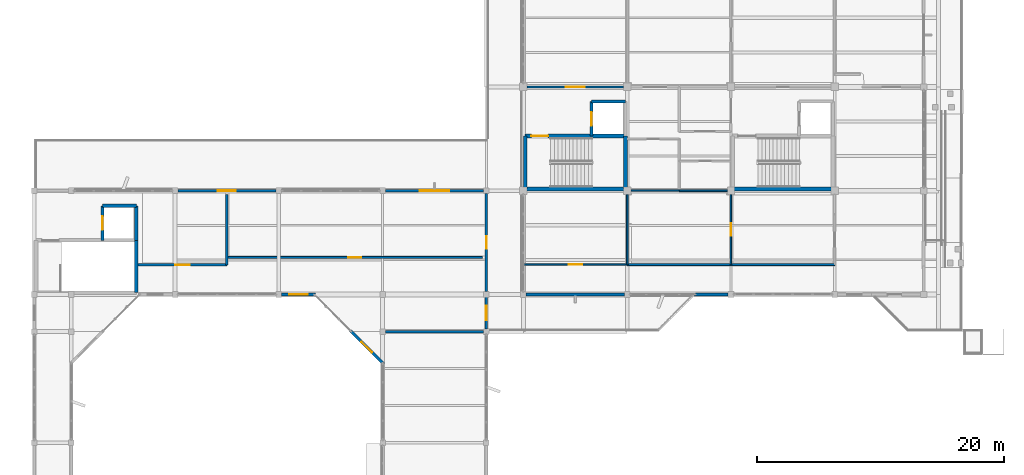
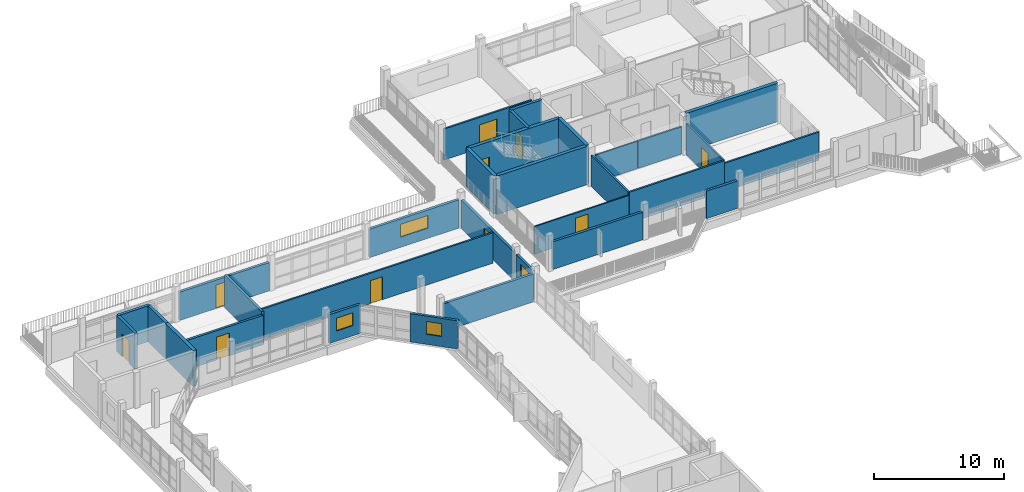
# One storey, part 21 of 33: 31 walls, 10 doors, 4 windows, 14 openings.
"""IFC4 building model written with IfcOpenShell, lengths in metres."""

from ifc_helpers import new_model, si_unit, direction, frame, frame_2d, origin, place, context, subcontext, project, spatial, rectangle, extrude, material, layer, layer_set, type_object, element, fill, save


model = new_model("IFC4")

# Units and contexts
model_context = context("Model", 3, precision=1e-05, world=origin(), true_north=direction((0.0, 1.0)))
body_context = subcontext(model_context, "Body", "Model", "MODEL_VIEW")
ifc_project = project(units=[si_unit("LENGTHUNIT", "METRE"), si_unit("AREAUNIT", "SQUARE_METRE"), si_unit("VOLUMEUNIT", "CUBIC_METRE"), si_unit("PLANEANGLEUNIT", "RADIAN"), si_unit("MASSUNIT", "GRAM", prefix="KILO")], contexts=[model_context])

# Site, building, storey
site_placement = place(None, origin())
site = spatial("IfcSite", under=ifc_project, at=site_placement, CompositionType="ELEMENT")
building_placement = place(site_placement, origin())
building = spatial("IfcBuilding", under=site, at=building_placement, Name="Vanh Quang Courtyard School", CompositionType="ELEMENT")
storey_placement = place(building_placement, frame((0.0, 0.0, 18.60009765625)))
storey = spatial("IfcBuildingStorey", under=building, at=storey_placement, Name="L05", CompositionType="ELEMENT", Elevation=18.60009765625)

# Wall
ifc_material_1 = material(Name="Concrete C30/37", Category="concrete")
ifc_layer_1 = layer(ifc_material_1, 0.199951171875)
ifc_layer_set_1 = layer_set([ifc_layer_1], Name="Concrete C30/37")
wall_type_1 = type_object("IfcWallType", Name="W-COMP-200", PredefinedType="PARTITIONING", material=ifc_layer_set_1)
wall_1_placement = place(storey_placement, frame((53.39990234375, 79.47998046875, 0.0), z_axis=(0.0, 0.0, 1.0), x_axis=(0.0, -1.0, 0.0)))
element("IfcWall", 1, at=wall_1_placement, inside=storey, type_object=wall_type_1, Name="Wall W-COMP1 (L05)", PredefinedType="PARTITIONING", context=body_context, shape_type="SweptSolid", body=[
    extrude(rectangle(XDim=5.679931640625, YDim=0.199951171875, at=frame_2d((2.83984375, 0.0))), origin(), (0.0, 0.0, 1.0), 3.0498046875),
])

# Wall, opening, door
wall_2_placement = place(storey_placement, frame((53.39990234375, 73.800048828125, 0.0), z_axis=(0.0, 0.0, 1.0), x_axis=(-1.0, 0.0, 0.0)))
wall_2 = element("IfcWall", 2, at=wall_2_placement, inside=storey, type_object=wall_type_1, Name="Wall W-COMP1 (L05)", PredefinedType="PARTITIONING", context=body_context, shape_type="SweptSolid", body=[
    extrude(rectangle(XDim=7.199951171875, YDim=0.199951171875, at=frame_2d((3.60009765625, 0.0))), origin(), (0.0, 0.0, 1.0), 2.75),
])
opening_1_placement = place(wall_2_placement, frame((3.02490234375, 0.0, 0.0)))
opening_1 = element("IfcOpeningElement", 3, at=opening_1_placement, cuts=wall_2, Name="Opening L05-D181", PredefinedType="OPENING", context=body_context, shape_type="SweptSolid", body=[
    extrude(rectangle(XDim=1.14990234375, YDim=2.14990234375, at=frame_2d((0.574951171875, 1.074951171875))), frame((0.0, 0.10986328125, 0.0), z_axis=(0.0, -1.0, 0.0), x_axis=(1.0, 0.0, 0.0)), (0.0, 0.0, 1.0), 0.219970703125),
])
ifc_material_2 = material(Name="Painted galvanised steel fire door", Category="steel")
door_type_1 = type_object("IfcDoorType", Name="IDR-LAB-1150x2150", OperationType="NOTDEFINED", PredefinedType="DOOR", material=ifc_material_2)
door_1_placement = place(opening_1_placement, origin())
door_1 = element("IfcDoor", 4, at=door_1_placement, inside=storey, type_object=door_type_1, Name="Door L05-D181 (L05)", OperationType="SINGLE_SWING_RIGHT", OverallHeight=2.14990234375, OverallWidth=1.14990234375, PredefinedType="DOOR", context=body_context, shape_type="SweptSolid", body=[
    extrude(rectangle(XDim=1.14990234375, YDim=2.14990234375, at=frame_2d((0.574951171875, 1.074951171875))), frame((0.0, 0.02490234375, 0.0), z_axis=(0.0, -1.0, 0.0), x_axis=(1.0, 0.0, 0.0)), (0.0, 0.0, 1.0), 0.050048828125),
])
fill(opening_1, door_1)

# Walls
wall_3_placement = place(storey_placement, frame((66.222900390625, 68.39990234375, 0.0), z_axis=(0.0, 0.0, 1.0), x_axis=(1.0, 0.0, 0.0)))
element("IfcWall", 5, at=wall_3_placement, inside=storey, type_object=wall_type_1, Name="Wall W-COMP1 (L05)", PredefinedType="PARTITIONING", context=body_context, shape_type="SweptSolid", body=[
    extrude(rectangle(XDim=7.947998046875, YDim=0.199951171875, at=frame_2d((3.97412109375, 0.0))), origin(), (0.0, 0.0, 1.0), 2.599853515625),
])
ifc_material_3 = material(Name="Concrete C35/45", Category="concrete")
ifc_layer_2 = layer(ifc_material_3, 0.300048828125)
ifc_layer_set_2 = layer_set([ifc_layer_2], Name="Concrete C35/45")
wall_type_2 = type_object("IfcWallType", Name="W-CORE-300", PredefinedType="SHEAR", material=ifc_layer_set_2)
wall_4_placement = place(storey_placement, frame((77.5400390625, 79.93994140625, 0.0), z_axis=(0.0, 0.0, 1.0), x_axis=(1.0, 0.0, 0.0)))
element("IfcWall", 6, at=wall_4_placement, inside=storey, type_object=wall_type_2, Name="Wall W-CORE1 (L05)", PredefinedType="SHEAR", context=body_context, shape_type="SweptSolid", body=[
    extrude(rectangle(XDim=8.119873046875, YDim=0.300048828125, at=frame_2d((4.06005859375, 0.0))), origin(), (0.0, 0.0, 1.0), 3.599853515625),
])
wall_5_placement = place(storey_placement, frame((85.659912109375, 79.93994140625, 0.0), z_axis=(0.0, 0.0, 1.0), x_axis=(0.0, 1.0, 0.0)))
element("IfcWall", 7, at=wall_5_placement, inside=storey, type_object=wall_type_2, Name="Wall W-CORE1 (L05)", PredefinedType="SHEAR", context=body_context, shape_type="SweptSolid", body=[
    extrude(rectangle(XDim=4.280029296875, YDim=0.300048828125, at=frame_2d((2.14013671875, 0.0))), origin(), (0.0, 0.0, 1.0), 3.599853515625),
])

# Wall, opening, door
wall_6_placement = place(storey_placement, frame((85.659912109375, 84.219970703125, 0.0), z_axis=(0.0, 0.0, 1.0), x_axis=(-1.0, 0.0, 0.0)))
wall_6 = element("IfcWall", 8, at=wall_6_placement, inside=storey, type_object=wall_type_2, Name="Wall W-CORE1 (L05)", PredefinedType="SHEAR", context=body_context, shape_type="SweptSolid", body=[
    extrude(rectangle(XDim=8.119873046875, YDim=0.300048828125, at=frame_2d((4.06005859375, 0.0))), origin(), (0.0, 0.0, 1.0), 3.599853515625),
])
opening_2_placement = place(wall_6_placement, frame((6.27001953125, 0.0, 0.0)))
opening_2 = element("IfcOpeningElement", 9, at=opening_2_placement, cuts=wall_6, Name="Opening L05-DS1", PredefinedType="OPENING", context=body_context, shape_type="SweptSolid", body=[
    extrude(rectangle(XDim=1.35009765625, YDim=2.14990234375, at=frame_2d((0.675048828125, 1.074951171875))), frame((0.0, 0.16015625, 0.0), z_axis=(0.0, -1.0, 0.0), x_axis=(1.0, 0.0, 0.0)), (0.0, 0.0, 1.0), 0.320068359375),
])
door_type_2 = type_object("IfcDoorType", Name="IDR-ST-1350x2150", OperationType="NOTDEFINED", PredefinedType="DOOR", material=ifc_material_2)
door_2_placement = place(opening_2_placement, frame((1.35009765625, 0.0, 0.0), z_axis=(0.0, 0.0, 1.0), x_axis=(-1.0, 0.0, 0.0)))
door_2 = element("IfcDoor", 10, at=door_2_placement, inside=storey, type_object=door_type_2, Name="Door L05-DS1 (L05)", OperationType="SINGLE_SWING_LEFT", OverallHeight=2.14990234375, OverallWidth=1.35009765625, PredefinedType="DOOR", context=body_context, shape_type="SweptSolid", body=[
    extrude(rectangle(XDim=1.35009765625, YDim=2.14990234375, at=frame_2d((0.675048828125, 1.074951171875))), frame((0.0, 0.02490234375, 0.0), z_axis=(0.0, -1.0, 0.0), x_axis=(1.0, 0.0, 0.0)), (0.0, 0.0, 1.0), 0.050048828125),
])
fill(opening_2, door_2)

# Walls
wall_7_placement = place(storey_placement, frame((77.5400390625, 84.219970703125, 0.0), z_axis=(0.0, 0.0, 1.0), x_axis=(0.0, -1.0, 0.0)))
element("IfcWall", 11, at=wall_7_placement, inside=storey, type_object=wall_type_2, Name="Wall W-CORE1 (L05)", PredefinedType="SHEAR", context=body_context, shape_type="SweptSolid", body=[
    extrude(rectangle(XDim=4.280029296875, YDim=0.300048828125, at=frame_2d((2.14013671875, 0.0))), origin(), (0.0, 0.0, 1.0), 3.599853515625),
])
wall_8_placement = place(storey_placement, frame((94.340087890625, 79.93994140625, 0.0), z_axis=(0.0, 0.0, 1.0), x_axis=(1.0, 0.0, 0.0)))
element("IfcWall", 12, at=wall_8_placement, inside=storey, type_object=wall_type_2, Name="Wall W-CORE1 (L05)", PredefinedType="SHEAR", context=body_context, shape_type="SweptSolid", body=[
    extrude(rectangle(XDim=8.119873046875, YDim=0.300048828125, at=frame_2d((4.06005859375, 0.0))), origin(), (0.0, 0.0, 1.0), 3.599853515625),
])
wall_9_placement = place(storey_placement, frame((46.06005859375, 71.5400390625, 0.0), z_axis=(0.0, 0.0, 1.0), x_axis=(0.0, 1.0, 0.0)))
element("IfcWall", 13, at=wall_9_placement, inside=storey, type_object=wall_type_2, Name="Wall W-CORE1 (L05)", PredefinedType="SHEAR", context=body_context, shape_type="SweptSolid", body=[
    extrude(rectangle(XDim=4.239990234375, YDim=0.300048828125, at=frame_2d((2.1201171875, 0.0))), origin(), (0.0, 0.0, 1.0), 3.349853515625),
])

# Wall, opening, door
ifc_layer_3 = layer(ifc_material_1, 0.219970703125)
ifc_layer_set_3 = layer_set([ifc_layer_3], Name="Concrete C30/37")
wall_type_3 = type_object("IfcWallType", Name="W-EXT-220", PredefinedType="SOLIDWALL", material=ifc_layer_set_3)
wall_10_placement = place(storey_placement, frame((49.423095703125, 79.800048828125, 0.0), z_axis=(0.0, 0.0, 1.0), x_axis=(1.0, 0.0, 0.0)))
wall_10 = element("IfcWall", 14, at=wall_10_placement, inside=storey, type_object=wall_type_3, Name="Wall WE-04 (L05)", PredefinedType="SOLIDWALL", context=body_context, shape_type="SweptSolid", body=[
    extrude(rectangle(XDim=7.953857421875, YDim=0.219970703125, at=frame_2d((3.97705078125, 0.0))), origin(), (0.0, 0.0, 1.0), 2.64990234375),
])
opening_3_placement = place(wall_10_placement, frame((3.251953125, 0.0, 0.0)))
opening_3 = element("IfcOpeningElement", 15, at=opening_3_placement, cuts=wall_10, Name="Opening L05-PD059", PredefinedType="OPENING", context=body_context, shape_type="SweptSolid", body=[
    extrude(rectangle(XDim=1.449951171875, YDim=2.199951171875, at=frame_2d((0.72509765625, 1.10009765625))), frame((0.0, 0.1201171875, 0.0), z_axis=(0.0, -1.0, 0.0), x_axis=(1.0, 0.0, 0.0)), (0.0, 0.0, 1.0), 0.239990234375),
])
ifc_material_4 = material(Name="Thermally broken aluminium and laminated safety glass", Category="aluminium")
door_type_3 = type_object("IfcDoorType", Name="EDR-TYP-20", OperationType="NOTDEFINED", PredefinedType="DOOR", material=ifc_material_4)
door_3_placement = place(opening_3_placement, origin())
door_3 = element("IfcDoor", 16, at=door_3_placement, inside=storey, type_object=door_type_3, Name="Door L05-PD059 (L05)", OperationType="SINGLE_SWING_RIGHT", OverallHeight=2.199951171875, OverallWidth=1.449951171875, PredefinedType="DOOR", context=body_context, shape_type="SweptSolid", body=[
    extrude(rectangle(XDim=1.449951171875, YDim=2.199951171875, at=frame_2d((0.72509765625, 1.10009765625))), frame((0.0, 0.02490234375, 0.0), z_axis=(0.0, -1.0, 0.0), x_axis=(1.0, 0.0, 0.0)), (0.0, 0.0, 1.0), 0.050048828125),
])
fill(opening_3, door_3)

# Wall, opening, window
wall_11_placement = place(storey_placement, frame((66.222900390625, 79.800048828125, 0.0), z_axis=(0.0, 0.0, 1.0), x_axis=(1.0, 0.0, 0.0)))
wall_11 = element("IfcWall", 17, at=wall_11_placement, inside=storey, type_object=wall_type_3, Name="Wall WE-04 (L05)", PredefinedType="SOLIDWALL", context=body_context, shape_type="SweptSolid", body=[
    extrude(rectangle(XDim=7.9541015625, YDim=0.219970703125, at=frame_2d((3.97705078125, 0.0))), origin(), (0.0, 0.0, 1.0), 2.64990234375),
])
opening_4_placement = place(wall_11_placement, frame((2.777099609375, 0.0, 0.949951171875)))
opening_4 = element("IfcOpeningElement", 18, at=opening_4_placement, cuts=wall_11, Name="Opening WN-05", PredefinedType="OPENING", context=body_context, shape_type="SweptSolid", body=[
    extrude(rectangle(XDim=2.39990234375, YDim=1.199951171875, at=frame_2d((1.199951171875, 0.60009765625))), frame((0.0, 0.1201171875, 0.0), z_axis=(0.0, -1.0, 0.0), x_axis=(1.0, 0.0, 0.0)), (0.0, 0.0, 1.0), 0.239990234375),
])
ifc_material_5 = material(Name="Anodised aluminium and low-E double glazing", Category="aluminium")
window_type_1 = type_object("IfcWindowType", Name="WIN-TYP-05", PartitioningType="SINGLE_PANEL", PredefinedType="WINDOW", material=ifc_material_5)
window_1_placement = place(opening_4_placement, origin())
window_1 = element("IfcWindow", 19, at=window_1_placement, inside=storey, type_object=window_type_1, Name="Window WN-05 (L05)", OverallHeight=1.199951171875, OverallWidth=2.39990234375, PartitioningType="SINGLE_PANEL", PredefinedType="WINDOW", context=body_context, shape_type="SweptSolid", body=[
    extrude(rectangle(XDim=2.39990234375, YDim=1.199951171875, at=frame_2d((1.199951171875, 0.60009765625))), frame((0.0, 0.030029296875, 0.0), z_axis=(0.0, -1.0, 0.0), x_axis=(1.0, 0.0, 0.0)), (0.0, 0.0, 1.0), 0.06005859375),
])
fill(opening_4, window_1)

# Wall, opening, door
wall_12_placement = place(storey_placement, frame((74.39990234375, 79.576904296875, 0.0), z_axis=(0.0, 0.0, 1.0), x_axis=(0.0, -1.0, 0.0)))
wall_12 = element("IfcWall", 20, at=wall_12_placement, inside=storey, type_object=wall_type_3, Name="Wall WE-04 (L05)", PredefinedType="SOLIDWALL", context=body_context, shape_type="SweptSolid", body=[
    extrude(rectangle(XDim=7.953857421875, YDim=0.219970703125, at=frame_2d((3.97705078125, 0.0))), origin(), (0.0, 0.0, 1.0), 2.64990234375),
])
opening_5_placement = place(wall_12_placement, frame((3.47705078125, 0.0, 0.0)))
opening_5 = element("IfcOpeningElement", 21, at=opening_5_placement, cuts=wall_12, Name="Opening L05-PD060", PredefinedType="OPENING", context=body_context, shape_type="SweptSolid", body=[
    extrude(rectangle(XDim=1.0, YDim=2.14990234375, at=frame_2d((0.5, 1.074951171875))), frame((0.0, 0.1201171875, 0.0), z_axis=(0.0, -1.0, 0.0), x_axis=(1.0, 0.0, 0.0)), (0.0, 0.0, 1.0), 0.239990234375),
])
door_type_4 = type_object("IfcDoorType", Name="EDR-TYP-01", OperationType="NOTDEFINED", PredefinedType="DOOR", material=ifc_material_4)
door_4_placement = place(opening_5_placement, origin())
door_4 = element("IfcDoor", 22, at=door_4_placement, inside=storey, type_object=door_type_4, Name="Door L05-PD060 (L05)", OperationType="SINGLE_SWING_LEFT", OverallHeight=2.14990234375, OverallWidth=1.0, PredefinedType="DOOR", context=body_context, shape_type="SweptSolid", body=[
    extrude(rectangle(XDim=1.0, YDim=2.14990234375, at=frame_2d((0.5, 1.074951171875))), frame((0.0, 0.02490234375, 0.0), z_axis=(0.0, -1.0, 0.0), x_axis=(1.0, 0.0, 0.0)), (0.0, 0.0, 1.0), 0.050048828125),
])
fill(opening_5, door_4)

# Wall, opening, window
wall_13_placement = place(storey_placement, frame((74.39990234375, 71.177001953125, 0.0), z_axis=(0.0, 0.0, 1.0), x_axis=(0.0, -1.0, 0.0)))
wall_13 = element("IfcWall", 23, at=wall_13_placement, inside=storey, type_object=wall_type_3, Name="Wall WE-04 (L05)", PredefinedType="SOLIDWALL", context=body_context, shape_type="SweptSolid", body=[
    extrude(rectangle(XDim=2.553955078125, YDim=0.219970703125, at=frame_2d((1.27685546875, 0.0))), origin(), (0.0, 0.0, 1.0), 2.64990234375),
])
opening_6_placement = place(wall_13_placement, frame((0.677001953125, 0.0, 0.949951171875)))
opening_6 = element("IfcOpeningElement", 24, at=opening_6_placement, cuts=wall_13, Name="Opening WN-01", PredefinedType="OPENING", context=body_context, shape_type="SweptSolid", body=[
    extrude(rectangle(XDim=1.199951171875, YDim=1.199951171875, at=frame_2d((0.60009765625, 0.60009765625))), frame((0.0, 0.1201171875, 0.0), z_axis=(0.0, -1.0, 0.0), x_axis=(1.0, 0.0, 0.0)), (0.0, 0.0, 1.0), 0.239990234375),
])
window_type_2 = type_object("IfcWindowType", Name="WIN-TYP-01", PartitioningType="SINGLE_PANEL", PredefinedType="WINDOW", material=ifc_material_5)
window_2_placement = place(opening_6_placement, origin())
window_2 = element("IfcWindow", 25, at=window_2_placement, inside=storey, type_object=window_type_2, Name="Window WN-01 (L05)", OverallHeight=1.199951171875, OverallWidth=1.199951171875, PartitioningType="SINGLE_PANEL", PredefinedType="WINDOW", context=body_context, shape_type="SweptSolid", body=[
    extrude(rectangle(XDim=1.199951171875, YDim=1.199951171875, at=frame_2d((0.60009765625, 0.60009765625))), frame((0.0, 0.030029296875, 0.0), z_axis=(0.0, -1.0, 0.0), x_axis=(1.0, 0.0, 0.0)), (0.0, 0.0, 1.0), 0.06005859375),
])
fill(opening_6, window_2)

wall_14_placement = place(storey_placement, frame((66.0849609375, 65.77099609375, 0.0), z_axis=(0.0, 0.0, 1.0), x_axis=(-0.707106781187, 0.707106781187, 0.0)))
wall_14 = element("IfcWall", 26, at=wall_14_placement, inside=storey, type_object=wall_type_3, Name="Wall WE-04 (L05)", PredefinedType="SOLIDWALL", context=body_context, shape_type="SweptSolid", body=[
    extrude(rectangle(XDim=3.837890625, YDim=0.219970703125, at=frame_2d((1.9189453125, 0.0))), origin(), (0.0, 0.0, 1.0), 2.64990234375),
])
opening_7_placement = place(wall_14_placement, frame((1.319091796875, 0.0, 0.949951171875)))
opening_7 = element("IfcOpeningElement", 27, at=opening_7_placement, cuts=wall_14, Name="Opening WN-01", PredefinedType="OPENING", context=body_context, shape_type="SweptSolid", body=[
    extrude(rectangle(XDim=1.199951171875, YDim=1.199951171875, at=frame_2d((0.60009765625, 0.60009765625))), frame((0.0, 0.1201171875, 0.0), z_axis=(0.0, -1.0, 0.0), x_axis=(1.0, 0.0, 0.0)), (0.0, 0.0, 1.0), 0.239990234375),
])
window_3_placement = place(opening_7_placement, origin())
window_3 = element("IfcWindow", 28, at=window_3_placement, inside=storey, type_object=window_type_2, Name="Window WN-01 (L05)", OverallHeight=1.199951171875, OverallWidth=1.199951171875, PartitioningType="SINGLE_PANEL", PredefinedType="WINDOW", context=body_context, shape_type="SweptSolid", body=[
    extrude(rectangle(XDim=1.199951171875, YDim=1.199951171875, at=frame_2d((0.60009765625, 0.60009765625))), frame((0.0, 0.030029296875, 0.0), z_axis=(0.0, -1.0, 0.0), x_axis=(1.0, 0.0, 0.0)), (0.0, 0.0, 1.0), 0.06005859375),
])
fill(opening_7, window_3)

wall_15_placement = place(storey_placement, frame((60.575927734375, 71.39990234375, 0.0), z_axis=(0.0, 0.0, 1.0), x_axis=(-1.0, 0.0, 0.0)))
wall_15 = element("IfcWall", 29, at=wall_15_placement, inside=storey, type_object=wall_type_3, Name="Wall WE-04 (L05)", PredefinedType="SOLIDWALL", context=body_context, shape_type="SweptSolid", body=[
    extrude(rectangle(XDim=2.7529296875, YDim=0.219970703125, at=frame_2d((1.37646484375, 0.0))), origin(), (0.0, 0.0, 1.0), 2.699951171875),
])
opening_8_placement = place(wall_15_placement, frame((0.62646484375, 0.0, 0.949951171875)))
opening_8 = element("IfcOpeningElement", 30, at=opening_8_placement, cuts=wall_15, Name="Opening WN-02", PredefinedType="OPENING", context=body_context, shape_type="SweptSolid", body=[
    extrude(rectangle(XDim=1.5, YDim=1.199951171875, at=frame_2d((0.75, 0.60009765625))), frame((0.0, 0.1201171875, 0.0), z_axis=(0.0, -1.0, 0.0), x_axis=(1.0, 0.0, 0.0)), (0.0, 0.0, 1.0), 0.239990234375),
])
window_type_3 = type_object("IfcWindowType", Name="WIN-TYP-02", PartitioningType="SINGLE_PANEL", PredefinedType="WINDOW", material=ifc_material_5)
window_4_placement = place(opening_8_placement, origin())
window_4 = element("IfcWindow", 31, at=window_4_placement, inside=storey, type_object=window_type_3, Name="Window WN-02 (L05)", OverallHeight=1.199951171875, OverallWidth=1.5, PartitioningType="SINGLE_PANEL", PredefinedType="WINDOW", context=body_context, shape_type="SweptSolid", body=[
    extrude(rectangle(XDim=1.5, YDim=1.199951171875, at=frame_2d((0.75, 0.60009765625))), frame((0.0, 0.030029296875, 0.0), z_axis=(0.0, -1.0, 0.0), x_axis=(1.0, 0.0, 0.0)), (0.0, 0.0, 1.0), 0.06005859375),
])
fill(opening_8, window_4)

# Walls
wall_16_placement = place(storey_placement, frame((93.97705078125, 71.39990234375, 0.0), z_axis=(0.0, 0.0, 1.0), x_axis=(-1.0, 0.0, 0.0)))
element("IfcWall", 32, at=wall_16_placement, inside=storey, type_object=wall_type_3, Name="Wall WE-04 (L05)", PredefinedType="SOLIDWALL", context=body_context, shape_type="SweptSolid", body=[
    extrude(rectangle(XDim=2.7529296875, YDim=0.219970703125, at=frame_2d((1.37646484375, 0.0))), origin(), (0.0, 0.0, 1.0), 2.579833984375),
])
wall_17_placement = place(storey_placement, frame((85.576904296875, 71.39990234375, 0.0), z_axis=(0.0, 0.0, 1.0), x_axis=(-1.0, 0.0, 0.0)))
element("IfcWall", 33, at=wall_17_placement, inside=storey, type_object=wall_type_3, Name="Wall WE-04 (L05)", PredefinedType="SOLIDWALL", context=body_context, shape_type="SweptSolid", body=[
    extrude(rectangle(XDim=7.953857421875, YDim=0.219970703125, at=frame_2d((3.97705078125, 0.0))), origin(), (0.0, 0.0, 1.0), 2.579833984375),
])
ifc_material_6 = material(Name="Acoustic gypsum stud partition", Category="gypsum")
ifc_layer_4 = layer(ifc_material_6, 0.1201171875)
ifc_layer_set_4 = layer_set([ifc_layer_4], Name="Acoustic gypsum stud partition")
wall_type_4 = type_object("IfcWallType", Name="W-PART-120", PredefinedType="PARTITIONING", material=ifc_layer_set_4)
wall_18_placement = place(storey_placement, frame((90.0, 79.800048828125, 0.0), z_axis=(0.0, 0.0, 1.0), x_axis=(-1.0, 0.0, 0.0)))
element("IfcWall", 34, at=wall_18_placement, inside=storey, type_object=wall_type_4, Name="Wall W-PRT2 (L05)", PredefinedType="PARTITIONING", context=body_context, shape_type="SweptSolid", body=[
    extrude(rectangle(XDim=3.902099609375, YDim=0.1201171875, at=frame_2d((1.951171875, 0.0))), origin(), (0.0, 0.0, 1.0), 2.5498046875),
])

# Wall, opening, door
wall_19_placement = place(storey_placement, frame((85.800048828125, 73.820068359375, 0.0), z_axis=(0.0, 0.0, 1.0), x_axis=(-1.0, 0.0, 0.0)))
wall_19 = element("IfcWall", 35, at=wall_19_placement, inside=storey, type_object=wall_type_4, Name="Wall W-PRT2 (L05)", PredefinedType="PARTITIONING", context=body_context, shape_type="SweptSolid", body=[
    extrude(rectangle(XDim=8.400146484375, YDim=0.1201171875, at=frame_2d((4.2001953125, 0.0))), origin(), (0.0, 0.0, 1.0), 2.579833984375),
])
opening_9_placement = place(wall_19_placement, frame((3.64990234375, 0.0, 0.0)))
opening_9 = element("IfcOpeningElement", 36, at=opening_9_placement, cuts=wall_19, Name="Opening L05-D184", PredefinedType="OPENING", context=body_context, shape_type="SweptSolid", body=[
    extrude(rectangle(XDim=1.10009765625, YDim=2.10009765625, at=frame_2d((0.550048828125, 1.050048828125))), frame((0.0, 0.070068359375, 0.0), z_axis=(0.0, -1.0, 0.0), x_axis=(1.0, 0.0, 0.0)), (0.0, 0.0, 1.0), 0.14013671875),
])
ifc_material_7 = material(Name="Solid-core hardwood acoustic door", Category="wood")
door_type_5 = type_object("IfcDoorType", Name="IDR-CLS-1100x2100", OperationType="NOTDEFINED", PredefinedType="DOOR", material=ifc_material_7)
door_5_placement = place(opening_9_placement, origin())
door_5 = element("IfcDoor", 37, at=door_5_placement, inside=storey, type_object=door_type_5, Name="Door L05-D184 (L05)", OperationType="SINGLE_SWING_LEFT", OverallHeight=2.10009765625, OverallWidth=1.10009765625, PredefinedType="DOOR", context=body_context, shape_type="SweptSolid", body=[
    extrude(rectangle(XDim=1.10009765625, YDim=2.10009765625, at=frame_2d((0.550048828125, 1.050048828125))), frame((0.0, 0.02490234375, 0.0), z_axis=(0.0, -1.0, 0.0), x_axis=(1.0, 0.0, 0.0)), (0.0, 0.0, 1.0), 0.050048828125),
])
fill(opening_9, door_5)

wall_20_placement = place(storey_placement, frame((94.199951171875, 79.501953125, 0.0), z_axis=(0.0, 0.0, 1.0), x_axis=(0.0, -1.0, 0.0)))
wall_20 = element("IfcWall", 38, at=wall_20_placement, inside=storey, type_object=wall_type_4, Name="Wall W-PRT2 (L05)", PredefinedType="PARTITIONING", context=body_context, shape_type="SweptSolid", body=[
    extrude(rectangle(XDim=5.681884765625, YDim=0.1201171875, at=frame_2d((2.8408203125, 0.0))), origin(), (0.0, 0.0, 1.0), 2.919921875),
])
opening_10_placement = place(wall_20_placement, frame((2.341064453125, 0.0, 0.0)))
opening_10 = element("IfcOpeningElement", 39, at=opening_10_placement, cuts=wall_20, Name="Opening L05-D186", PredefinedType="OPENING", context=body_context, shape_type="SweptSolid", body=[
    extrude(rectangle(XDim=1.0, YDim=2.10009765625, at=frame_2d((0.5, 1.050048828125))), frame((0.0, 0.070068359375, 0.0), z_axis=(0.0, -1.0, 0.0), x_axis=(1.0, 0.0, 0.0)), (0.0, 0.0, 1.0), 0.14013671875),
])
door_type_6 = type_object("IfcDoorType", Name="IDR-CLS-1000x2100", OperationType="NOTDEFINED", PredefinedType="DOOR", material=ifc_material_7)
door_6_placement = place(opening_10_placement, origin())
door_6 = element("IfcDoor", 40, at=door_6_placement, inside=storey, type_object=door_type_6, Name="Door L05-D186 (L05)", OperationType="SINGLE_SWING_LEFT", OverallHeight=2.10009765625, OverallWidth=1.0, PredefinedType="DOOR", context=body_context, shape_type="SweptSolid", body=[
    extrude(rectangle(XDim=1.0, YDim=2.10009765625, at=frame_2d((0.5, 1.050048828125))), frame((0.0, 0.02490234375, 0.0), z_axis=(0.0, -1.0, 0.0), x_axis=(1.0, 0.0, 0.0)), (0.0, 0.0, 1.0), 0.050048828125),
])
fill(opening_10, door_6)

# Wall
ifc_material_8 = material(Name="Autoclaved aerated masonry blockwork", Category="masonry")
ifc_layer_5 = layer(ifc_material_8, 0.14990234375)
ifc_layer_set_5 = layer_set([ifc_layer_5], Name="Autoclaved aerated masonry blockwork")
wall_type_5 = type_object("IfcWallType", Name="W-PART-150", PredefinedType="PARTITIONING", material=ifc_layer_set_5)
wall_21_placement = place(storey_placement, frame((93.902099609375, 79.800048828125, 0.0), z_axis=(0.0, 0.0, 1.0), x_axis=(-1.0, 0.0, 0.0)))
element("IfcWall", 41, at=wall_21_placement, inside=storey, type_object=wall_type_5, Name="Wall W-PRT1 (L05)", PredefinedType="PARTITIONING", context=body_context, shape_type="SweptSolid", body=[
    extrude(rectangle(XDim=3.882080078125, YDim=0.14990234375, at=frame_2d((1.94091796875, 0.0))), origin(), (0.0, 0.0, 1.0), 2.5498046875),
])

# Wall, opening, door
wall_22_placement = place(storey_placement, frame((74.080078125, 74.39990234375, 0.0), z_axis=(0.0, 0.0, 1.0), x_axis=(-1.0, 0.0, 0.0)))
wall_22 = element("IfcWall", 42, at=wall_22_placement, inside=storey, type_object=wall_type_5, Name="Wall W-PRT1 (L05)", PredefinedType="PARTITIONING", context=body_context, shape_type="SweptSolid", body=[
    extrude(rectangle(XDim=20.66015625, YDim=0.14990234375, at=frame_2d((10.330078125, 0.0))), origin(), (0.0, 0.0, 1.0), 2.849853515625),
])
opening_11_placement = place(wall_22_placement, frame((9.804931640625, 0.0, 0.0)))
opening_11 = element("IfcOpeningElement", 43, at=opening_11_placement, cuts=wall_22, Name="Opening L05-D183", PredefinedType="OPENING", context=body_context, shape_type="SweptSolid", body=[
    extrude(rectangle(XDim=1.050048828125, YDim=2.14990234375, at=frame_2d((0.52490234375, 1.074951171875))), frame((0.0, 0.0849609375, 0.0), z_axis=(0.0, -1.0, 0.0), x_axis=(1.0, 0.0, 0.0)), (0.0, 0.0, 1.0), 0.169921875),
])
door_type_7 = type_object("IfcDoorType", Name="IDR-FD-1050x2150", OperationType="NOTDEFINED", PredefinedType="DOOR", material=ifc_material_2)
door_7_placement = place(opening_11_placement, origin())
door_7 = element("IfcDoor", 44, at=door_7_placement, inside=storey, type_object=door_type_7, Name="Door L05-D183 (L05)", OperationType="SINGLE_SWING_RIGHT", OverallHeight=2.14990234375, OverallWidth=1.050048828125, PredefinedType="DOOR", context=body_context, shape_type="SweptSolid", body=[
    extrude(rectangle(XDim=1.050048828125, YDim=2.14990234375, at=frame_2d((0.52490234375, 1.074951171875))), frame((0.0, 0.02490234375, 0.0), z_axis=(0.0, -1.0, 0.0), x_axis=(1.0, 0.0, 0.0)), (0.0, 0.0, 1.0), 0.050048828125),
])
fill(opening_11, door_7)

# Wall
wall_23_placement = place(storey_placement, frame((85.800048828125, 79.501953125, 0.0), z_axis=(0.0, 0.0, 1.0), x_axis=(0.0, -1.0, 0.0)))
element("IfcWall", 45, at=wall_23_placement, inside=storey, type_object=wall_type_5, Name="Wall W-PRT1 (L05)", PredefinedType="PARTITIONING", context=body_context, shape_type="SweptSolid", body=[
    extrude(rectangle(XDim=5.681884765625, YDim=0.14990234375, at=frame_2d((2.8408203125, 0.0))), origin(), (0.0, 0.0, 1.0), 2.8798828125),
])

# Wall, opening, door
wall_24_placement = place(storey_placement, frame((85.501953125, 88.199951171875, 0.0), z_axis=(0.0, 0.0, 1.0), x_axis=(-1.0, 0.0, 0.0)))
wall_24 = element("IfcWall", 46, at=wall_24_placement, inside=storey, type_object=wall_type_5, Name="Wall W-PRT1 (L05)", PredefinedType="PARTITIONING", context=body_context, shape_type="SweptSolid", body=[
    extrude(rectangle(XDim=7.803955078125, YDim=0.14990234375, at=frame_2d((3.90185546875, 0.0))), origin(), (0.0, 0.0, 1.0), 2.89990234375),
])
opening_12_placement = place(wall_24_placement, frame((3.126953125, 0.0, 0.0)))
opening_12 = element("IfcOpeningElement", 47, at=opening_12_placement, cuts=wall_24, Name="Opening L05-D185", PredefinedType="OPENING", context=body_context, shape_type="SweptSolid", body=[
    extrude(rectangle(XDim=1.550048828125, YDim=2.199951171875, at=frame_2d((0.77490234375, 1.10009765625))), frame((0.0, 0.0849609375, 0.0), z_axis=(0.0, -1.0, 0.0), x_axis=(1.0, 0.0, 0.0)), (0.0, 0.0, 1.0), 0.169921875),
])
door_type_8 = type_object("IfcDoorType", Name="IDR-KIT-1550x2200", OperationType="NOTDEFINED", PredefinedType="DOOR", material=ifc_material_2)
door_8_placement = place(opening_12_placement, origin())
door_8 = element("IfcDoor", 48, at=door_8_placement, inside=storey, type_object=door_type_8, Name="Door L05-D185 (L05)", OperationType="DOUBLE_DOOR_SINGLE_SWING", OverallHeight=2.199951171875, OverallWidth=1.550048828125, PredefinedType="DOOR", context=body_context, shape_type="SweptSolid", body=[
    extrude(rectangle(XDim=1.550048828125, YDim=2.199951171875, at=frame_2d((0.77490234375, 1.10009765625))), frame((0.0, 0.02490234375, 0.0), z_axis=(0.0, -1.0, 0.0), x_axis=(1.0, 0.0, 0.0)), (0.0, 0.0, 1.0), 0.050048828125),
])
fill(opening_12, door_8)

# Walls
wall_25_placement = place(storey_placement, frame((94.199951171875, 73.820068359375, 0.0), z_axis=(0.0, 0.0, 1.0), x_axis=(-1.0, 0.0, 0.0)))
element("IfcWall", 49, at=wall_25_placement, inside=storey, type_object=wall_type_5, Name="Wall W-PRT1 (L05)", PredefinedType="PARTITIONING", context=body_context, shape_type="SweptSolid", body=[
    extrude(rectangle(XDim=8.3798828125, YDim=0.14990234375, at=frame_2d((4.18994140625, 0.0))), origin(), (0.0, 0.0, 1.0), 2.8798828125),
])
wall_26_placement = place(storey_placement, frame((102.60009765625, 73.820068359375, 0.0), z_axis=(0.0, 0.0, 1.0), x_axis=(-1.0, 0.0, 0.0)))
element("IfcWall", 50, at=wall_26_placement, inside=storey, type_object=wall_type_5, Name="Wall W-PRT1 (L05)", PredefinedType="PARTITIONING", context=body_context, shape_type="SweptSolid", body=[
    extrude(rectangle(XDim=8.380126953125, YDim=0.14990234375, at=frame_2d((4.18994140625, 0.0))), origin(), (0.0, 0.0, 1.0), 2.6298828125),
])

# Wall, opening, door
ifc_layer_6 = layer(ifc_material_3, 0.25)
ifc_layer_set_6 = layer_set([ifc_layer_6], Name="Concrete C35/45")
wall_type_6 = type_object("IfcWallType", Name="W-SHFT-250", PredefinedType="SHEAR", material=ifc_layer_set_6)
wall_27_placement = place(storey_placement, frame((82.919921875, 87.02001953125, 0.0), z_axis=(0.0, 0.0, 1.0), x_axis=(0.0, -1.0, 0.0)))
wall_27 = element("IfcWall", 51, at=wall_27_placement, inside=storey, type_object=wall_type_6, Name="Wall W-SHFT1 (L05)", PredefinedType="SHEAR", context=body_context, shape_type="SweptSolid", body=[
    extrude(rectangle(XDim=2.800048828125, YDim=0.25, at=frame_2d((1.39990234375, 0.0))), origin(), (0.0, 0.0, 1.0), 3.599853515625),
])
opening_13_placement = place(wall_27_placement, frame((0.85009765625, 0.0, 0.0)))
opening_13 = element("IfcOpeningElement", 52, at=opening_13_placement, cuts=wall_27, Name="Opening LD-01-L05", PredefinedType="OPENING", context=body_context, shape_type="SweptSolid", body=[
    extrude(rectangle(XDim=1.10009765625, YDim=2.14990234375, at=frame_2d((0.550048828125, 1.074951171875))), frame((0.0, 0.135009765625, 0.0), z_axis=(0.0, -1.0, 0.0), x_axis=(1.0, 0.0, 0.0)), (0.0, 0.0, 1.0), 0.27001953125),
])
door_type_9 = type_object("IfcDoorType", Name="IDR-LD-1100x2150", OperationType="NOTDEFINED", PredefinedType="DOOR", material=ifc_material_2)
door_9_placement = place(opening_13_placement, origin())
door_9 = element("IfcDoor", 53, at=door_9_placement, inside=storey, type_object=door_type_9, Name="Door LD-01-L05 (L05)", OperationType="DOUBLE_DOOR_SLIDING", OverallHeight=2.14990234375, OverallWidth=1.10009765625, PredefinedType="DOOR", context=body_context, shape_type="SweptSolid", body=[
    extrude(rectangle(XDim=1.10009765625, YDim=2.14990234375, at=frame_2d((0.550048828125, 1.074951171875))), frame((0.0, 0.02490234375, 0.0), z_axis=(0.0, -1.0, 0.0), x_axis=(1.0, 0.0, 0.0)), (0.0, 0.0, 1.0), 0.050048828125),
])
fill(opening_13, door_9)

# Wall
wall_28_placement = place(storey_placement, frame((85.659912109375, 87.02001953125, 0.0), z_axis=(0.0, 0.0, 1.0), x_axis=(-1.0, 0.0, 0.0)))
element("IfcWall", 54, at=wall_28_placement, inside=storey, type_object=wall_type_6, Name="Wall W-SHFT1 (L05)", PredefinedType="SHEAR", context=body_context, shape_type="SweptSolid", body=[
    extrude(rectangle(XDim=2.739990234375, YDim=0.25, at=frame_2d((1.3701171875, 0.0))), origin(), (0.0, 0.0, 1.0), 3.599853515625),
])

# Wall, opening, door
wall_29_placement = place(storey_placement, frame((43.320068359375, 78.580078125, 0.0), z_axis=(0.0, 0.0, 1.0), x_axis=(0.0, -1.0, 0.0)))
wall_29 = element("IfcWall", 55, at=wall_29_placement, inside=storey, type_object=wall_type_6, Name="Wall W-SHFT1 (L05)", PredefinedType="SHEAR", context=body_context, shape_type="SweptSolid", body=[
    extrude(rectangle(XDim=2.800048828125, YDim=0.25, at=frame_2d((1.39990234375, 0.0))), origin(), (0.0, 0.0, 1.0), 3.349853515625),
])
opening_14_placement = place(wall_29_placement, frame((0.85009765625, 0.0, 0.0)))
opening_14 = element("IfcOpeningElement", 56, at=opening_14_placement, cuts=wall_29, Name="Opening LD-03-L05", PredefinedType="OPENING", context=body_context, shape_type="SweptSolid", body=[
    extrude(rectangle(XDim=1.10009765625, YDim=2.14990234375, at=frame_2d((0.550048828125, 1.074951171875))), frame((0.0, 0.135009765625, 0.0), z_axis=(0.0, -1.0, 0.0), x_axis=(1.0, 0.0, 0.0)), (0.0, 0.0, 1.0), 0.27001953125),
])
door_10_placement = place(opening_14_placement, origin())
door_10 = element("IfcDoor", 57, at=door_10_placement, inside=storey, type_object=door_type_9, Name="Door LD-03-L05 (L05)", OperationType="DOUBLE_DOOR_SLIDING", OverallHeight=2.14990234375, OverallWidth=1.10009765625, PredefinedType="DOOR", context=body_context, shape_type="SweptSolid", body=[
    extrude(rectangle(XDim=1.10009765625, YDim=2.14990234375, at=frame_2d((0.550048828125, 1.074951171875))), frame((0.0, 0.02490234375, 0.0), z_axis=(0.0, -1.0, 0.0), x_axis=(1.0, 0.0, 0.0)), (0.0, 0.0, 1.0), 0.050048828125),
])
fill(opening_14, door_10)

# Walls
wall_30_placement = place(storey_placement, frame((46.06005859375, 78.580078125, 0.0), z_axis=(0.0, 0.0, 1.0), x_axis=(-1.0, 0.0, 0.0)))
element("IfcWall", 58, at=wall_30_placement, inside=storey, type_object=wall_type_6, Name="Wall W-SHFT1 (L05)", PredefinedType="SHEAR", context=body_context, shape_type="SweptSolid", body=[
    extrude(rectangle(XDim=2.739990234375, YDim=0.25, at=frame_2d((1.3701171875, 0.0))), origin(), (0.0, 0.0, 1.0), 3.349853515625),
])
wall_31_placement = place(storey_placement, frame((46.06005859375, 75.780029296875, 0.0), z_axis=(0.0, 0.0, 1.0), x_axis=(0.0, 1.0, 0.0)))
element("IfcWall", 59, at=wall_31_placement, inside=storey, type_object=wall_type_6, Name="Wall W-SHFT1 (L05)", PredefinedType="SHEAR", context=body_context, shape_type="SweptSolid", body=[
    extrude(rectangle(XDim=2.800048828125, YDim=0.25, at=frame_2d((1.39990234375, 0.0))), origin(), (0.0, 0.0, 1.0), 3.349853515625),
])

save(model, "model.ifc")
